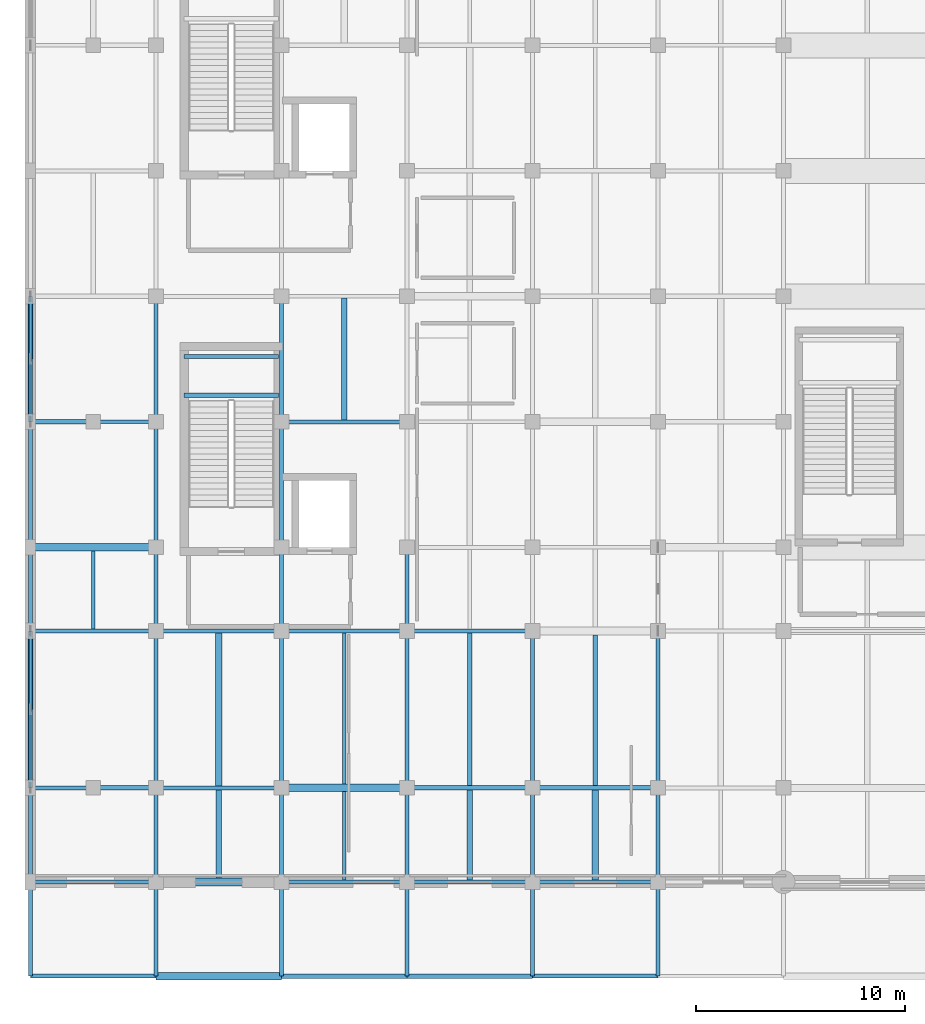
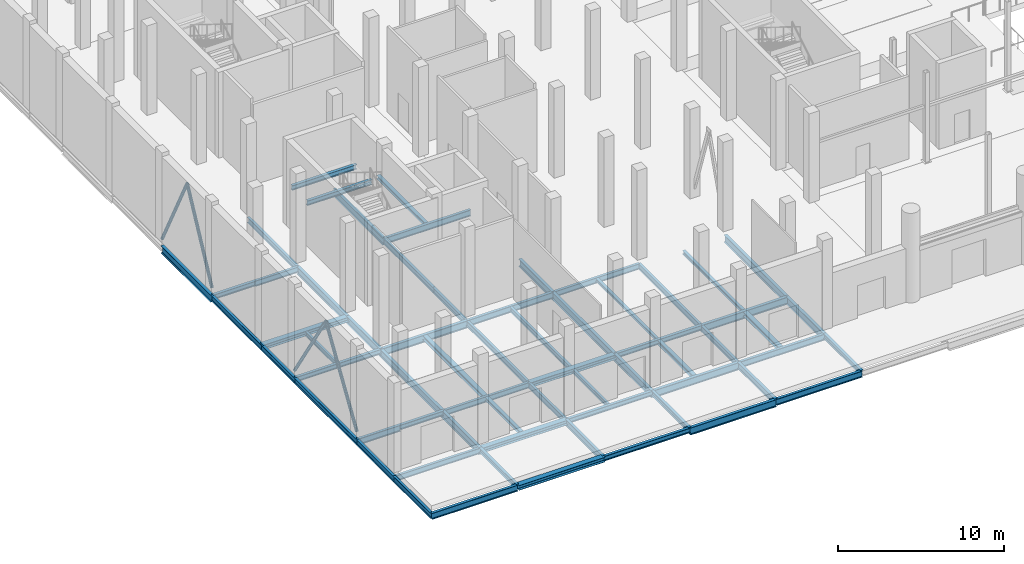
# One storey, part 20 of 140: 64 beams, 4 members.
"""IFC4 building model written with IfcOpenShell, lengths in metres."""

from ifc_helpers import new_model, si_unit, direction, frame, origin, origin_2d, place, context, subcontext, project, spatial, hollow_circle, i_section, extrude, material, material_profile, profile_set, type_object, element, save


model = new_model("IFC4")

# Units and contexts
model_context = context("Model", 3, precision=1e-05, world=origin(), true_north=direction((0.0, 1.0)))
body_context = subcontext(model_context, "Body", "Model", "MODEL_VIEW")
ifc_project = project(units=[si_unit("LENGTHUNIT", "METRE"), si_unit("AREAUNIT", "SQUARE_METRE"), si_unit("VOLUMEUNIT", "CUBIC_METRE"), si_unit("PLANEANGLEUNIT", "RADIAN"), si_unit("MASSUNIT", "GRAM", prefix="KILO")], contexts=[model_context])

# Site, building, storey
site_placement = place(None, origin())
site = spatial("IfcSite", under=ifc_project, at=site_placement, CompositionType="ELEMENT")
building_placement = place(site_placement, origin())
building = spatial("IfcBuilding", under=site, at=building_placement, Name="Verrall Gate Interchange", CompositionType="ELEMENT")
storey_placement = place(building_placement, origin())
storey = spatial("IfcBuildingStorey", under=building, at=storey_placement, Name="L01", CompositionType="ELEMENT", Elevation=0.0)

# Beams
ifc_material_1 = material(Name="Structural Steel CSA G40.21 350W", Category="steel")
ifc_material_profile_1 = material_profile(ifc_material_1, i_section(OverallWidth=0.2109375, OverallDepth=0.5390625, WebThickness=0.01171875, FlangeThickness=0.018798828125, FilletRadius=0.013916015625, at=origin_2d()), Name="W530x109")
ifc_profile_set_1 = profile_set([ifc_material_profile_1], Name="Structural Steel CSA G40.21 350W")
beam_type_1 = type_object("IfcBeamType", Name="B-10 Structural Beam W530x109", PredefinedType="BEAM", material=ifc_profile_set_1)
for number, where, z_axis, x_axis, name in (
    (1, (18.0, -4.5, -0.76953125), (1.0, 0.0, 0.0), (0.0, 1.0, 0.0), "L01 Girder BM-L01-0721 (B-10)"),
    (2, (18.0, 0.0, -0.76953125), (1.0, 0.0, 0.0), (0.0, 1.0, 0.0), "L01 Girder BM-L01-0736 (B-10)"),
    (3, (24.0, 4.5, -0.76953125), (1.0, 0.0, 0.0), (0.0, 1.0, 0.0), "L01 Girder BM-L01-0753 (B-10)"),
    (4, (6.0, 12.0, -0.76953125), (1.0, 0.0, 0.0), (0.0, 1.0, 0.0), "L01 Girder BM-L01-0765 (B-10)"),
    (5, (0.0, 22.0, -0.76953125), (0.0, 1.0, 0.0), (-1.0, 0.0, 0.0), "L01 Girder BM-L01-0985 (B-10)"),
):
    element("IfcBeam", number, at=place(storey_placement, frame(where, z_axis=z_axis, x_axis=x_axis)), inside=storey, type_object=beam_type_1, Name=name, PredefinedType="BEAM", context=body_context, shape_type="SweptSolid", body=[
        extrude(i_section(OverallWidth=0.2109375, OverallDepth=0.5390625, WebThickness=0.01171875, FlangeThickness=0.018798828125, FilletRadius=0.013916015625, at=origin_2d()), origin(), (0.0, 0.0, 1.0), 6.0),
    ])
beam_1_placement = place(storey_placement, frame((6.0, 0.0, -0.76953125), z_axis=(0.0, 1.0, 0.0), x_axis=(-1.0, 0.0, 0.0)))
element("IfcBeam", 6, at=beam_1_placement, inside=storey, type_object=beam_type_1, Name="L01 Girder BM-L01-0997 (B-10)", PredefinedType="BEAM", context=body_context, shape_type="SweptSolid", body=[
    extrude(i_section(OverallWidth=0.2109375, OverallDepth=0.5390625, WebThickness=0.01171875, FlangeThickness=0.018798828125, FilletRadius=0.013916015625, at=origin_2d()), origin(), (0.0, 0.0, 1.0), 4.5),
])
beam_2_placement = place(storey_placement, frame((6.0, 4.5, -0.76953125), z_axis=(0.0, 1.0, 0.0), x_axis=(-1.0, 0.0, 0.0)))
element("IfcBeam", 7, at=beam_2_placement, inside=storey, type_object=beam_type_1, Name="L01 Girder BM-L01-0998 (B-10)", PredefinedType="BEAM", context=body_context, shape_type="SweptSolid", body=[
    extrude(i_section(OverallWidth=0.2109375, OverallDepth=0.5390625, WebThickness=0.01171875, FlangeThickness=0.018798828125, FilletRadius=0.013916015625, at=origin_2d()), origin(), (0.0, 0.0, 1.0), 7.5),
])
beam_3_placement = place(storey_placement, frame((6.0, 12.0, -0.76953125), z_axis=(0.0, 1.0, 0.0), x_axis=(-1.0, 0.0, 0.0)))
element("IfcBeam", 8, at=beam_3_placement, inside=storey, type_object=beam_type_1, Name="L01 Girder BM-L01-0999 (B-10)", PredefinedType="BEAM", context=body_context, shape_type="SweptSolid", body=[
    extrude(i_section(OverallWidth=0.2109375, OverallDepth=0.5390625, WebThickness=0.01171875, FlangeThickness=0.018798828125, FilletRadius=0.013916015625, at=origin_2d()), origin(), (0.0, 0.0, 1.0), 4.0),
])
for number, where, z_axis, x_axis, name in (
    (9, (6.0, 16.0, -0.76953125), (0.0, 1.0, 0.0), (-1.0, 0.0, 0.0), "L01 Girder BM-L01-1000 (B-10)"),
    (10, (12.0, 22.0, -0.76953125), (0.0, 1.0, 0.0), (-1.0, 0.0, 0.0), "L01 Girder BM-L01-1016 (B-10)"),
):
    element("IfcBeam", number, at=place(storey_placement, frame(where, z_axis=z_axis, x_axis=x_axis)), inside=storey, type_object=beam_type_1, Name=name, PredefinedType="BEAM", context=body_context, shape_type="SweptSolid", body=[
        extrude(i_section(OverallWidth=0.2109375, OverallDepth=0.5390625, WebThickness=0.01171875, FlangeThickness=0.018798828125, FilletRadius=0.013916015625, at=origin_2d()), origin(), (0.0, 0.0, 1.0), 6.0),
    ])
beam_4_placement = place(storey_placement, frame((18.0, 0.0, -0.76953125), z_axis=(0.0, 1.0, 0.0), x_axis=(-1.0, 0.0, 0.0)))
element("IfcBeam", 11, at=beam_4_placement, inside=storey, type_object=beam_type_1, Name="L01 Girder BM-L01-1027 (B-10)", PredefinedType="BEAM", context=body_context, shape_type="SweptSolid", body=[
    extrude(i_section(OverallWidth=0.2109375, OverallDepth=0.5390625, WebThickness=0.01171875, FlangeThickness=0.018798828125, FilletRadius=0.013916015625, at=origin_2d()), origin(), (0.0, 0.0, 1.0), 4.5),
])
beam_5_placement = place(storey_placement, frame((18.0, 4.5, -0.76953125), z_axis=(0.0, 1.0, 0.0), x_axis=(-1.0, 0.0, 0.0)))
element("IfcBeam", 12, at=beam_5_placement, inside=storey, type_object=beam_type_1, Name="L01 Girder BM-L01-1028 (B-10)", PredefinedType="BEAM", context=body_context, shape_type="SweptSolid", body=[
    extrude(i_section(OverallWidth=0.2109375, OverallDepth=0.5390625, WebThickness=0.01171875, FlangeThickness=0.018798828125, FilletRadius=0.013916015625, at=origin_2d()), origin(), (0.0, 0.0, 1.0), 7.5),
])
beam_6_placement = place(storey_placement, frame((18.0, 12.0, -0.76953125), z_axis=(0.0, 1.0, 0.0), x_axis=(-1.0, 0.0, 0.0)))
element("IfcBeam", 13, at=beam_6_placement, inside=storey, type_object=beam_type_1, Name="L01 Girder BM-L01-1029 (B-10)", PredefinedType="BEAM", context=body_context, shape_type="SweptSolid", body=[
    extrude(i_section(OverallWidth=0.2109375, OverallDepth=0.5390625, WebThickness=0.01171875, FlangeThickness=0.018798828125, FilletRadius=0.013916015625, at=origin_2d()), origin(), (0.0, 0.0, 1.0), 4.0),
])
beam_7_placement = place(storey_placement, frame((30.0, 0.0, -0.76953125), z_axis=(0.0, 1.0, 0.0), x_axis=(-1.0, 0.0, 0.0)))
element("IfcBeam", 14, at=beam_7_placement, inside=storey, type_object=beam_type_1, Name="L01 Girder BM-L01-1057 (B-10)", PredefinedType="BEAM", context=body_context, shape_type="SweptSolid", body=[
    extrude(i_section(OverallWidth=0.2109375, OverallDepth=0.5390625, WebThickness=0.01171875, FlangeThickness=0.018798828125, FilletRadius=0.013916015625, at=origin_2d()), origin(), (0.0, 0.0, 1.0), 4.5),
])
beam_8_placement = place(storey_placement, frame((30.0, 4.5, -0.76953125), z_axis=(0.0, 1.0, 0.0), x_axis=(-1.0, 0.0, 0.0)))
element("IfcBeam", 15, at=beam_8_placement, inside=storey, type_object=beam_type_1, Name="L01 Girder BM-L01-1058 (B-10)", PredefinedType="BEAM", context=body_context, shape_type="SweptSolid", body=[
    extrude(i_section(OverallWidth=0.2109375, OverallDepth=0.5390625, WebThickness=0.01171875, FlangeThickness=0.018798828125, FilletRadius=0.013916015625, at=origin_2d()), origin(), (0.0, 0.0, 1.0), 7.5),
])
ifc_material_2 = material(Name="Structural Steel CSA G40.21 350W", Category="steel")
ifc_material_profile_2 = material_profile(ifc_material_2, i_section(OverallWidth=0.19189453125, OverallDepth=0.462890625, WebThickness=0.010498046875, FlangeThickness=0.017578125, FilletRadius=0.012939453125, at=origin_2d()), Name="W460x89")
ifc_profile_set_2 = profile_set([ifc_material_profile_2], Name="Structural Steel CSA G40.21 350W")
beam_type_2 = type_object("IfcBeamType", Name="B-11 Structural Beam W460x89", PredefinedType="BEAM", material=ifc_profile_set_2)
for number, where, z_axis, x_axis, name in (
    (16, (0.0, -4.5, -0.7314453125), (1.0, 0.0, 0.0), (0.0, 1.0, 0.0), "L01 Girder BM-L01-0718 (B-11)"),
    (17, (24.0, -4.5, -0.7314453125), (1.0, 0.0, 0.0), (0.0, 1.0, 0.0), "L01 Girder BM-L01-0722 (B-11)"),
    (18, (24.0, 0.0, -0.7314453125), (1.0, 0.0, 0.0), (0.0, 1.0, 0.0), "L01 Girder BM-L01-0737 (B-11)"),
):
    element("IfcBeam", number, at=place(storey_placement, frame(where, z_axis=z_axis, x_axis=x_axis)), inside=storey, type_object=beam_type_2, Name=name, PredefinedType="BEAM", context=body_context, shape_type="SweptSolid", body=[
        extrude(i_section(OverallWidth=0.19189453125, OverallDepth=0.462890625, WebThickness=0.010498046875, FlangeThickness=0.017578125, FilletRadius=0.012939453125, at=origin_2d()), origin(), (0.0, 0.0, 1.0), 6.0),
    ])
beam_9_placement = place(storey_placement, frame((0.0, 4.5, -0.7314453125), z_axis=(1.0, 0.0, 0.0), x_axis=(0.0, 1.0, 0.0)))
element("IfcBeam", 19, at=beam_9_placement, inside=storey, type_object=beam_type_2, Name="L01 Girder BM-L01-0748 (B-11)", PredefinedType="BEAM", context=body_context, shape_type="SweptSolid", body=[
    extrude(i_section(OverallWidth=0.19189453125, OverallDepth=0.462890625, WebThickness=0.010498046875, FlangeThickness=0.017578125, FilletRadius=0.012939453125, at=origin_2d()), origin(), (0.0, 0.0, 1.0), 3.0),
])
for number, where, z_axis, x_axis, name in (
    (20, (12.0, 12.0, -0.7314453125), (1.0, 0.0, 0.0), (0.0, 1.0, 0.0), "L01 Girder BM-L01-0766 (B-11)"),
    (21, (12.0, 22.0, -0.7314453125), (1.0, 0.0, 0.0), (0.0, 1.0, 0.0), "L01 Girder BM-L01-0810 (B-11)"),
):
    element("IfcBeam", number, at=place(storey_placement, frame(where, z_axis=z_axis, x_axis=x_axis)), inside=storey, type_object=beam_type_2, Name=name, PredefinedType="BEAM", context=body_context, shape_type="SweptSolid", body=[
        extrude(i_section(OverallWidth=0.19189453125, OverallDepth=0.462890625, WebThickness=0.010498046875, FlangeThickness=0.017578125, FilletRadius=0.012939453125, at=origin_2d()), origin(), (0.0, 0.0, 1.0), 6.0),
    ])
for number, where, z_axis, x_axis, name in (
    (22, (12.0, -4.5, -0.7314453125), (0.0, 1.0, 0.0), (-1.0, 0.0, 0.0), "L01 Girder BM-L01-1011 (B-11)"),
    (23, (24.0, -4.5, -0.7314453125), (0.0, 1.0, 0.0), (-1.0, 0.0, 0.0), "L01 Girder BM-L01-1041 (B-11)"),
):
    element("IfcBeam", number, at=place(storey_placement, frame(where, z_axis=z_axis, x_axis=x_axis)), inside=storey, type_object=beam_type_2, Name=name, PredefinedType="BEAM", context=body_context, shape_type="SweptSolid", body=[
        extrude(i_section(OverallWidth=0.19189453125, OverallDepth=0.462890625, WebThickness=0.010498046875, FlangeThickness=0.017578125, FilletRadius=0.012939453125, at=origin_2d()), origin(), (0.0, 0.0, 1.0), 4.5),
    ])
ifc_material_3 = material(Name="Structural Steel CSA G40.21 350W", Category="steel")
ifc_material_profile_3 = material_profile(ifc_material_3, i_section(OverallWidth=0.178955078125, OverallDepth=0.409912109375, WebThickness=0.0087890625, FlangeThickness=0.014404296875, FilletRadius=0.011962890625, at=origin_2d()), Name="W410x67")
ifc_profile_set_3 = profile_set([ifc_material_profile_3], Name="Structural Steel CSA G40.21 350W")
beam_type_3 = type_object("IfcBeamType", Name="B-12 Structural Beam W410x67", PredefinedType="BEAM", material=ifc_profile_set_3)
for number, where, z_axis, x_axis, name in (
    (24, (0.0, 0.0, -0.705078125), (1.0, 0.0, 0.0), (0.0, 1.0, 0.0), "L01 Girder BM-L01-0733 (B-12)"),
    (25, (6.0, 4.5, -0.705078125), (1.0, 0.0, 0.0), (0.0, 1.0, 0.0), "L01 Girder BM-L01-0750 (B-12)"),
    (26, (18.0, 12.0, -0.705078125), (1.0, 0.0, 0.0), (0.0, 1.0, 0.0), "L01 Girder BM-L01-0767 (B-12)"),
):
    element("IfcBeam", number, at=place(storey_placement, frame(where, z_axis=z_axis, x_axis=x_axis)), inside=storey, type_object=beam_type_3, Name=name, PredefinedType="BEAM", context=body_context, shape_type="SweptSolid", body=[
        extrude(i_section(OverallWidth=0.178955078125, OverallDepth=0.409912109375, WebThickness=0.0087890625, FlangeThickness=0.014404296875, FilletRadius=0.011962890625, at=origin_2d()), origin(), (0.0, 0.0, 1.0), 6.0),
    ])
beam_10_placement = place(storey_placement, frame((3.0, 22.0, -0.705078125), z_axis=(1.0, 0.0, 0.0), x_axis=(0.0, 1.0, 0.0)))
element("IfcBeam", 27, at=beam_10_placement, inside=storey, type_object=beam_type_3, Name="L01 Girder BM-L01-0809 (B-12)", PredefinedType="BEAM", context=body_context, shape_type="SweptSolid", body=[
    extrude(i_section(OverallWidth=0.178955078125, OverallDepth=0.409912109375, WebThickness=0.0087890625, FlangeThickness=0.014404296875, FilletRadius=0.011962890625, at=origin_2d()), origin(), (0.0, 0.0, 1.0), 3.0),
])
for number, where, z_axis, x_axis, name in (
    (28, (0.0, -4.5, -0.705078125), (0.0, 1.0, 0.0), (-1.0, 0.0, 0.0), "L01 Girder BM-L01-0980 (B-12)"),
    (29, (0.0, 0.0, -0.705078125), (0.0, 1.0, 0.0), (-1.0, 0.0, 0.0), "L01 Girder BM-L01-0981 (B-12)"),
):
    element("IfcBeam", number, at=place(storey_placement, frame(where, z_axis=z_axis, x_axis=x_axis)), inside=storey, type_object=beam_type_3, Name=name, PredefinedType="BEAM", context=body_context, shape_type="SweptSolid", body=[
        extrude(i_section(OverallWidth=0.178955078125, OverallDepth=0.409912109375, WebThickness=0.0087890625, FlangeThickness=0.014404296875, FilletRadius=0.011962890625, at=origin_2d()), origin(), (0.0, 0.0, 1.0), 4.5),
    ])
beam_11_placement = place(storey_placement, frame((0.0, 4.5, -0.705078125), z_axis=(0.0, 1.0, 0.0), x_axis=(-1.0, 0.0, 0.0)))
element("IfcBeam", 30, at=beam_11_placement, inside=storey, type_object=beam_type_3, Name="L01 Girder BM-L01-0982 (B-12)", PredefinedType="BEAM", context=body_context, shape_type="SweptSolid", body=[
    extrude(i_section(OverallWidth=0.178955078125, OverallDepth=0.409912109375, WebThickness=0.0087890625, FlangeThickness=0.014404296875, FilletRadius=0.011962890625, at=origin_2d()), origin(), (0.0, 0.0, 1.0), 7.5),
])
beam_12_placement = place(storey_placement, frame((0.0, 12.0, -0.705078125), z_axis=(0.0, 1.0, 0.0), x_axis=(-1.0, 0.0, 0.0)))
element("IfcBeam", 31, at=beam_12_placement, inside=storey, type_object=beam_type_3, Name="L01 Girder BM-L01-0983 (B-12)", PredefinedType="BEAM", context=body_context, shape_type="SweptSolid", body=[
    extrude(i_section(OverallWidth=0.178955078125, OverallDepth=0.409912109375, WebThickness=0.0087890625, FlangeThickness=0.014404296875, FilletRadius=0.011962890625, at=origin_2d()), origin(), (0.0, 0.0, 1.0), 4.0),
])
for number, where, z_axis, x_axis, name in (
    (32, (0.0, 16.0, -0.705078125), (0.0, 1.0, 0.0), (-1.0, 0.0, 0.0), "L01 Girder BM-L01-0984 (B-12)"),
    (33, (6.0, 22.0, -0.705078125), (0.0, 1.0, 0.0), (-1.0, 0.0, 0.0), "L01 Girder BM-L01-1001 (B-12)"),
):
    element("IfcBeam", number, at=place(storey_placement, frame(where, z_axis=z_axis, x_axis=x_axis)), inside=storey, type_object=beam_type_3, Name=name, PredefinedType="BEAM", context=body_context, shape_type="SweptSolid", body=[
        extrude(i_section(OverallWidth=0.178955078125, OverallDepth=0.409912109375, WebThickness=0.0087890625, FlangeThickness=0.014404296875, FilletRadius=0.011962890625, at=origin_2d()), origin(), (0.0, 0.0, 1.0), 6.0),
    ])
beam_13_placement = place(storey_placement, frame((12.0, 0.0, -0.705078125), z_axis=(0.0, 1.0, 0.0), x_axis=(-1.0, 0.0, 0.0)))
element("IfcBeam", 34, at=beam_13_placement, inside=storey, type_object=beam_type_3, Name="L01 Girder BM-L01-1012 (B-12)", PredefinedType="BEAM", context=body_context, shape_type="SweptSolid", body=[
    extrude(i_section(OverallWidth=0.178955078125, OverallDepth=0.409912109375, WebThickness=0.0087890625, FlangeThickness=0.014404296875, FilletRadius=0.011962890625, at=origin_2d()), origin(), (0.0, 0.0, 1.0), 4.5),
])
beam_14_placement = place(storey_placement, frame((12.0, 4.5, -0.705078125), z_axis=(0.0, 1.0, 0.0), x_axis=(-1.0, 0.0, 0.0)))
element("IfcBeam", 35, at=beam_14_placement, inside=storey, type_object=beam_type_3, Name="L01 Girder BM-L01-1013 (B-12)", PredefinedType="BEAM", context=body_context, shape_type="SweptSolid", body=[
    extrude(i_section(OverallWidth=0.178955078125, OverallDepth=0.409912109375, WebThickness=0.0087890625, FlangeThickness=0.014404296875, FilletRadius=0.011962890625, at=origin_2d()), origin(), (0.0, 0.0, 1.0), 7.5),
])
beam_15_placement = place(storey_placement, frame((12.0, 12.0, -0.705078125), z_axis=(0.0, 1.0, 0.0), x_axis=(-1.0, 0.0, 0.0)))
element("IfcBeam", 36, at=beam_15_placement, inside=storey, type_object=beam_type_3, Name="L01 Girder BM-L01-1014 (B-12)", PredefinedType="BEAM", context=body_context, shape_type="SweptSolid", body=[
    extrude(i_section(OverallWidth=0.178955078125, OverallDepth=0.409912109375, WebThickness=0.0087890625, FlangeThickness=0.014404296875, FilletRadius=0.011962890625, at=origin_2d()), origin(), (0.0, 0.0, 1.0), 4.0),
])
beam_16_placement = place(storey_placement, frame((12.0, 16.0, -0.705078125), z_axis=(0.0, 1.0, 0.0), x_axis=(-1.0, 0.0, 0.0)))
element("IfcBeam", 37, at=beam_16_placement, inside=storey, type_object=beam_type_3, Name="L01 Girder BM-L01-1015 (B-12)", PredefinedType="BEAM", context=body_context, shape_type="SweptSolid", body=[
    extrude(i_section(OverallWidth=0.178955078125, OverallDepth=0.409912109375, WebThickness=0.0087890625, FlangeThickness=0.014404296875, FilletRadius=0.011962890625, at=origin_2d()), origin(), (0.0, 0.0, 1.0), 6.0),
])
beam_17_placement = place(storey_placement, frame((24.0, 0.0, -0.705078125), z_axis=(0.0, 1.0, 0.0), x_axis=(-1.0, 0.0, 0.0)))
element("IfcBeam", 38, at=beam_17_placement, inside=storey, type_object=beam_type_3, Name="L01 Girder BM-L01-1042 (B-12)", PredefinedType="BEAM", context=body_context, shape_type="SweptSolid", body=[
    extrude(i_section(OverallWidth=0.178955078125, OverallDepth=0.409912109375, WebThickness=0.0087890625, FlangeThickness=0.014404296875, FilletRadius=0.011962890625, at=origin_2d()), origin(), (0.0, 0.0, 1.0), 4.5),
])
beam_18_placement = place(storey_placement, frame((24.0, 4.5, -0.705078125), z_axis=(0.0, 1.0, 0.0), x_axis=(-1.0, 0.0, 0.0)))
element("IfcBeam", 39, at=beam_18_placement, inside=storey, type_object=beam_type_3, Name="L01 Girder BM-L01-1043 (B-12)", PredefinedType="BEAM", context=body_context, shape_type="SweptSolid", body=[
    extrude(i_section(OverallWidth=0.178955078125, OverallDepth=0.409912109375, WebThickness=0.0087890625, FlangeThickness=0.014404296875, FilletRadius=0.011962890625, at=origin_2d()), origin(), (0.0, 0.0, 1.0), 7.5),
])
ifc_material_4 = material(Name="Structural Steel CSA G40.21 350W", Category="steel")
ifc_material_profile_4 = material_profile(ifc_material_4, i_section(OverallWidth=0.368896484375, OverallDepth=0.35595703125, WebThickness=0.01123046875, FlangeThickness=0.01806640625, FilletRadius=0.014892578125, at=origin_2d()), Name="W360x134")
ifc_profile_set_4 = profile_set([ifc_material_profile_4], Name="Structural Steel CSA G40.21 350W")
beam_type_4 = type_object("IfcBeamType", Name="B-13 Structural Beam W360x134", PredefinedType="BEAM", material=ifc_profile_set_4)
for number, where, z_axis, x_axis, name in (
    (40, (6.0, -4.5, -0.677978515625), (1.0, 0.0, 0.0), (0.0, 1.0, 0.0), "L01 Girder BM-L01-0719 (B-13)"),
    (41, (6.0, 0.0, -0.677978515625), (1.0, 0.0, 0.0), (0.0, 1.0, 0.0), "L01 Girder BM-L01-0734 (B-13)"),
    (42, (12.0, 4.5, -0.677978515625), (1.0, 0.0, 0.0), (0.0, 1.0, 0.0), "L01 Girder BM-L01-0751 (B-13)"),
    (43, (0.0, 16.0, -0.677978515625), (1.0, 0.0, 0.0), (0.0, 1.0, 0.0), "L01 Girder BM-L01-0788 (B-13)"),
):
    element("IfcBeam", number, at=place(storey_placement, frame(where, z_axis=z_axis, x_axis=x_axis)), inside=storey, type_object=beam_type_4, Name=name, PredefinedType="BEAM", context=body_context, shape_type="SweptSolid", body=[
        extrude(i_section(OverallWidth=0.368896484375, OverallDepth=0.35595703125, WebThickness=0.01123046875, FlangeThickness=0.01806640625, FilletRadius=0.014892578125, at=origin_2d()), origin(), (0.0, 0.0, 1.0), 6.0),
    ])
ifc_material_5 = material(Name="Structural Steel CSA G40.21 350W", Category="steel")
ifc_material_profile_5 = material_profile(ifc_material_5, i_section(OverallWidth=0.205078125, OverallDepth=0.35400390625, WebThickness=0.009521484375, FlangeThickness=0.016845703125, FilletRadius=0.012939453125, at=origin_2d()), Name="W360x79")
ifc_profile_set_5 = profile_set([ifc_material_profile_5], Name="Structural Steel CSA G40.21 350W")
beam_type_5 = type_object("IfcBeamType", Name="B-14 Structural Beam W360x79", PredefinedType="BEAM", material=ifc_profile_set_5)
for number, where, z_axis, x_axis, name in (
    (44, (12.0, -4.5, -0.677001953125), (1.0, 0.0, 0.0), (0.0, 1.0, 0.0), "L01 Girder BM-L01-0720 (B-14)"),
    (45, (12.0, 0.0, -0.677001953125), (1.0, 0.0, 0.0), (0.0, 1.0, 0.0), "L01 Girder BM-L01-0735 (B-14)"),
):
    element("IfcBeam", number, at=place(storey_placement, frame(where, z_axis=z_axis, x_axis=x_axis)), inside=storey, type_object=beam_type_5, Name=name, PredefinedType="BEAM", context=body_context, shape_type="SweptSolid", body=[
        extrude(i_section(OverallWidth=0.205078125, OverallDepth=0.35400390625, WebThickness=0.009521484375, FlangeThickness=0.016845703125, FilletRadius=0.012939453125, at=origin_2d()), origin(), (0.0, 0.0, 1.0), 6.0),
    ])
beam_19_placement = place(storey_placement, frame((3.0, 4.5, -0.677001953125), z_axis=(1.0, 0.0, 0.0), x_axis=(0.0, 1.0, 0.0)))
element("IfcBeam", 46, at=beam_19_placement, inside=storey, type_object=beam_type_5, Name="L01 Girder BM-L01-0749 (B-14)", PredefinedType="BEAM", context=body_context, shape_type="SweptSolid", body=[
    extrude(i_section(OverallWidth=0.205078125, OverallDepth=0.35400390625, WebThickness=0.009521484375, FlangeThickness=0.016845703125, FilletRadius=0.012939453125, at=origin_2d()), origin(), (0.0, 0.0, 1.0), 3.0),
])
for number, where, z_axis, x_axis, name in (
    (47, (18.0, 4.5, -0.677001953125), (1.0, 0.0, 0.0), (0.0, 1.0, 0.0), "L01 Girder BM-L01-0752 (B-14)"),
    (48, (0.0, 12.0, -0.677001953125), (1.0, 0.0, 0.0), (0.0, 1.0, 0.0), "L01 Girder BM-L01-0764 (B-14)"),
):
    element("IfcBeam", number, at=place(storey_placement, frame(where, z_axis=z_axis, x_axis=x_axis)), inside=storey, type_object=beam_type_5, Name=name, PredefinedType="BEAM", context=body_context, shape_type="SweptSolid", body=[
        extrude(i_section(OverallWidth=0.205078125, OverallDepth=0.35400390625, WebThickness=0.009521484375, FlangeThickness=0.016845703125, FilletRadius=0.012939453125, at=origin_2d()), origin(), (0.0, 0.0, 1.0), 6.0),
    ])
beam_20_placement = place(storey_placement, frame((0.0, 22.0, -0.677001953125), z_axis=(1.0, 0.0, 0.0), x_axis=(0.0, 1.0, 0.0)))
element("IfcBeam", 49, at=beam_20_placement, inside=storey, type_object=beam_type_5, Name="L01 Girder BM-L01-0808 (B-14)", PredefinedType="BEAM", context=body_context, shape_type="SweptSolid", body=[
    extrude(i_section(OverallWidth=0.205078125, OverallDepth=0.35400390625, WebThickness=0.009521484375, FlangeThickness=0.016845703125, FilletRadius=0.012939453125, at=origin_2d()), origin(), (0.0, 0.0, 1.0), 3.0),
])
for number, where, z_axis, x_axis, name in (
    (50, (6.0, -4.5, -0.677001953125), (0.0, 1.0, 0.0), (-1.0, 0.0, 0.0), "L01 Girder BM-L01-0996 (B-14)"),
    (51, (18.0, -4.5, -0.677001953125), (0.0, 1.0, 0.0), (-1.0, 0.0, 0.0), "L01 Girder BM-L01-1026 (B-14)"),
    (52, (30.0, -4.5, -0.677001953125), (0.0, 1.0, 0.0), (-1.0, 0.0, 0.0), "L01 Girder BM-L01-1056 (B-14)"),
    (53, (7.35009765625, 23.27001953125, 2.929931640625), (1.0, 0.0, 0.0), (0.0, 1.0, 0.0), "L01 Core C1 Mid-Landing Beam 1"),
    (54, (7.35009765625, 25.1201171875, 2.929931640625), (1.0, 0.0, 0.0), (0.0, 1.0, 0.0), "L01 Core C1 Mid-Landing Beam 2"),
):
    element("IfcBeam", number, at=place(storey_placement, frame(where, z_axis=z_axis, x_axis=x_axis)), inside=storey, type_object=beam_type_5, Name=name, PredefinedType="BEAM", context=body_context, shape_type="SweptSolid", body=[
        extrude(i_section(OverallWidth=0.205078125, OverallDepth=0.35400390625, WebThickness=0.009521484375, FlangeThickness=0.016845703125, FilletRadius=0.012939453125, at=origin_2d()), origin(), (0.0, 0.0, 1.0), 4.5),
    ])

# Members
ifc_material_6 = material(Name="Structural Steel CSA G40.21 350W", Category="steel")
ifc_material_profile_6 = material_profile(ifc_material_6, hollow_circle(Radius=0.109619140625, WallThickness=0.008056640625, at=origin_2d()), Name="HSS219x8.0")
ifc_profile_set_6 = profile_set([ifc_material_profile_6], Name="Structural Steel CSA G40.21 350W")
member_type = type_object("IfcMemberType", Name="BR-02 Diagonal Brace HSS219x8.0", PredefinedType="BRACE", material=ifc_profile_set_6)
for number, where, z_axis, x_axis, name in (
    (55, (0.0, 4.5, 0.0), (0.0, 0.538353324935, 0.842719228173), (-1.0, 0.0, 0.0), "Chevron Brace CBF1 L01 Leg A"),
    (56, (0.0, 12.0, 0.0), (0.0, -0.538353324935, 0.842719228173), (1.0, 0.0, 0.0), "Chevron Brace CBF1 L01 Leg B"),
):
    element("IfcMember", number, at=place(storey_placement, frame(where, z_axis=z_axis, x_axis=x_axis)), inside=storey, type_object=member_type, Name=name, PredefinedType="BRACE", context=body_context, shape_type="SweptSolid", body=[
        extrude(hollow_circle(Radius=0.109619140625, WallThickness=0.008056640625, at=origin_2d()), origin(), (0.0, 0.0, 1.0), 6.965576171875),
    ])
for number, where, z_axis, x_axis, name in (
    (57, (0.0, 22.0, 0.0), (0.0, 0.455077128294, 0.890452024145), (-1.0, 0.0, 0.0), "Chevron Brace CBF2 L01 Leg A"),
    (58, (0.0, 28.0, 0.0), (0.0, -0.455077128294, 0.890452024145), (1.0, 0.0, 0.0), "Chevron Brace CBF2 L01 Leg B"),
):
    element("IfcMember", number, at=place(storey_placement, frame(where, z_axis=z_axis, x_axis=x_axis)), inside=storey, type_object=member_type, Name=name, PredefinedType="BRACE", context=body_context, shape_type="SweptSolid", body=[
        extrude(hollow_circle(Radius=0.109619140625, WallThickness=0.008056640625, at=origin_2d()), origin(), (0.0, 0.0, 1.0), 6.59228515625),
    ])

# Beams
ifc_material_7 = material(Name="Structural Steel CSA G40.21 350W", Category="steel")
ifc_material_profile_7 = material_profile(ifc_material_7, i_section(OverallWidth=0.172119140625, OverallDepth=0.35791015625, WebThickness=0.0078125, FlangeThickness=0.01318359375, FilletRadius=0.010986328125, at=origin_2d()), Name="W360x57")
ifc_profile_set_7 = profile_set([ifc_material_profile_7], Name="Structural Steel CSA G40.21 350W")
beam_type_6 = type_object("IfcBeamType", Name="J-01 Floor Joist W360x57", PredefinedType="JOIST", material=ifc_profile_set_7)
beam_21_placement = place(storey_placement, frame((15.0, 4.6845703125, -0.678955078125), z_axis=(0.0, 1.0, 0.0), x_axis=(-1.0, 0.0, 0.0)))
element("IfcBeam", 59, at=beam_21_placement, inside=storey, type_object=beam_type_6, Name="L01 Secondary Floor Joist JST-L01-1266", PredefinedType="JOIST", context=body_context, shape_type="SweptSolid", body=[
    extrude(i_section(OverallWidth=0.172119140625, OverallDepth=0.35791015625, WebThickness=0.0078125, FlangeThickness=0.01318359375, FilletRadius=0.010986328125, at=origin_2d()), origin(), (0.0, 0.0, 1.0), 7.219482421875),
])
ifc_material_8 = material(Name="Structural Steel CSA G40.21 350W", Category="steel")
ifc_material_profile_8 = material_profile(ifc_material_8, i_section(OverallWidth=0.306884765625, OverallDepth=0.31396484375, WebThickness=0.011962890625, FlangeThickness=0.018798828125, FilletRadius=0.013916015625, at=origin_2d()), Name="W310x118")
ifc_profile_set_8 = profile_set([ifc_material_profile_8], Name="Structural Steel CSA G40.21 350W")
beam_type_7 = type_object("IfcBeamType", Name="J-02 Floor Joist W310x118", PredefinedType="JOIST", material=ifc_profile_set_8)
beam_22_placement = place(storey_placement, frame((27.0, 0.095947265625, -0.656982421875), z_axis=(0.0, 1.0, 0.0), x_axis=(-1.0, 0.0, 0.0)))
element("IfcBeam", 60, at=beam_22_placement, inside=storey, type_object=beam_type_7, Name="L01 Secondary Floor Joist JST-L01-1254", PredefinedType="JOIST", context=body_context, shape_type="SweptSolid", body=[
    extrude(i_section(OverallWidth=0.306884765625, OverallDepth=0.31396484375, WebThickness=0.011962890625, FlangeThickness=0.018798828125, FilletRadius=0.013916015625, at=origin_2d()), origin(), (0.0, 0.0, 1.0), 4.298583984375),
])
beam_23_placement = place(storey_placement, frame((9.0, 4.589599609375, -0.656982421875), z_axis=(0.0, 1.0, 0.0), x_axis=(-1.0, 0.0, 0.0)))
element("IfcBeam", 61, at=beam_23_placement, inside=storey, type_object=beam_type_7, Name="L01 Secondary Floor Joist JST-L01-1265", PredefinedType="JOIST", context=body_context, shape_type="SweptSolid", body=[
    extrude(i_section(OverallWidth=0.306884765625, OverallDepth=0.31396484375, WebThickness=0.011962890625, FlangeThickness=0.018798828125, FilletRadius=0.013916015625, at=origin_2d()), origin(), (0.0, 0.0, 1.0), 7.304931640625),
])
ifc_material_9 = material(Name="Structural Steel CSA G40.21 350W", Category="steel")
ifc_material_profile_9 = material_profile(ifc_material_9, i_section(OverallWidth=0.25390625, OverallDepth=0.305908203125, WebThickness=0.0087890625, FlangeThickness=0.0146484375, FilletRadius=0.012939453125, at=origin_2d()), Name="W310x79")
ifc_profile_set_9 = profile_set([ifc_material_profile_9], Name="Structural Steel CSA G40.21 350W")
beam_type_8 = type_object("IfcBeamType", Name="J-03 Floor Joist W310x79", PredefinedType="JOIST", material=ifc_profile_set_9)
beam_24_placement = place(storey_placement, frame((21.0, 0.10546875, -0.653076171875), z_axis=(0.0, 1.0, 0.0), x_axis=(-1.0, 0.0, 0.0)))
element("IfcBeam", 62, at=beam_24_placement, inside=storey, type_object=beam_type_8, Name="L01 Secondary Floor Joist JST-L01-1253", PredefinedType="JOIST", context=body_context, shape_type="SweptSolid", body=[
    extrude(i_section(OverallWidth=0.25390625, OverallDepth=0.305908203125, WebThickness=0.0087890625, FlangeThickness=0.0146484375, FilletRadius=0.012939453125, at=origin_2d()), origin(), (0.0, 0.0, 1.0), 4.2919921875),
])
ifc_material_10 = material(Name="Structural Steel CSA G40.21 350W", Category="steel")
ifc_material_profile_10 = material_profile(ifc_material_10, i_section(OverallWidth=0.1650390625, OverallDepth=0.31005859375, WebThickness=0.005859375, FlangeThickness=0.009765625, FilletRadius=0.010009765625, at=origin_2d()), Name="W310x39")
ifc_profile_set_10 = profile_set([ifc_material_profile_10], Name="Structural Steel CSA G40.21 350W")
beam_type_9 = type_object("IfcBeamType", Name="J-04 Floor Joist W310x39", PredefinedType="JOIST", material=ifc_profile_set_10)
beam_25_placement = place(storey_placement, frame((15.0, 0.1025390625, -0.655029296875), z_axis=(0.0, 1.0, 0.0), x_axis=(-1.0, 0.0, 0.0)))
element("IfcBeam", 63, at=beam_25_placement, inside=storey, type_object=beam_type_9, Name="L01 Secondary Floor Joist JST-L01-1252", PredefinedType="JOIST", context=body_context, shape_type="SweptSolid", body=[
    extrude(i_section(OverallWidth=0.1650390625, OverallDepth=0.31005859375, WebThickness=0.005859375, FlangeThickness=0.009765625, FilletRadius=0.010009765625, at=origin_2d()), origin(), (0.0, 0.0, 1.0), 4.212890625),
])
beam_26_placement = place(storey_placement, frame((3.0, 12.1025390625, -0.655029296875), z_axis=(0.0, 1.0, 0.0), x_axis=(-1.0, 0.0, 0.0)))
element("IfcBeam", 64, at=beam_26_placement, inside=storey, type_object=beam_type_9, Name="L01 Secondary Floor Joist JST-L01-1279", PredefinedType="JOIST", context=body_context, shape_type="SweptSolid", body=[
    extrude(i_section(OverallWidth=0.1650390625, OverallDepth=0.31005859375, WebThickness=0.005859375, FlangeThickness=0.009765625, FilletRadius=0.010009765625, at=origin_2d()), origin(), (0.0, 0.0, 1.0), 3.712890625),
])
ifc_material_11 = material(Name="Structural Steel CSA G40.21 350W", Category="steel")
ifc_material_profile_11 = material_profile(ifc_material_11, i_section(OverallWidth=0.25390625, OverallDepth=0.2529296875, WebThickness=0.008544921875, FlangeThickness=0.01416015625, FilletRadius=0.011962890625, at=origin_2d()), Name="W250x73")
ifc_profile_set_11 = profile_set([ifc_material_profile_11], Name="Structural Steel CSA G40.21 350W")
beam_type_10 = type_object("IfcBeamType", Name="J-05 Floor Joist W250x73", PredefinedType="JOIST", material=ifc_profile_set_11)
beam_27_placement = place(storey_placement, frame((9.0, 0.1845703125, -0.62646484375), z_axis=(0.0, 1.0, 0.0), x_axis=(-1.0, 0.0, 0.0)))
element("IfcBeam", 65, at=beam_27_placement, inside=storey, type_object=beam_type_10, Name="L01 Secondary Floor Joist JST-L01-1251", PredefinedType="JOIST", context=body_context, shape_type="SweptSolid", body=[
    extrude(i_section(OverallWidth=0.25390625, OverallDepth=0.2529296875, WebThickness=0.008544921875, FlangeThickness=0.01416015625, FilletRadius=0.011962890625, at=origin_2d()), origin(), (0.0, 0.0, 1.0), 4.225830078125),
])
beam_28_placement = place(storey_placement, frame((15.0, 22.095947265625, -0.62646484375), z_axis=(0.0, 1.0, 0.0), x_axis=(-1.0, 0.0, 0.0)))
element("IfcBeam", 66, at=beam_28_placement, inside=storey, type_object=beam_type_10, Name="L01 Secondary Floor Joist JST-L01-1311", PredefinedType="JOIST", context=body_context, shape_type="SweptSolid", body=[
    extrude(i_section(OverallWidth=0.25390625, OverallDepth=0.2529296875, WebThickness=0.008544921875, FlangeThickness=0.01416015625, FilletRadius=0.011962890625, at=origin_2d()), origin(), (0.0, 0.0, 1.0), 5.814453125),
])
ifc_material_12 = material(Name="Structural Steel CSA G40.21 350W", Category="steel")
ifc_material_profile_12 = material_profile(ifc_material_12, i_section(OverallWidth=0.201904296875, OverallDepth=0.2470703125, WebThickness=0.00732421875, FlangeThickness=0.010986328125, FilletRadius=0.010986328125, at=origin_2d()), Name="W250x49")
ifc_profile_set_12 = profile_set([ifc_material_profile_12], Name="Structural Steel CSA G40.21 350W")
beam_type_11 = type_object("IfcBeamType", Name="J-06 Floor Joist W250x49", PredefinedType="JOIST", material=ifc_profile_set_12)
beam_29_placement = place(storey_placement, frame((27.0, 4.60546875, -0.62353515625), z_axis=(0.0, 1.0, 0.0), x_axis=(-1.0, 0.0, 0.0)))
element("IfcBeam", 67, at=beam_29_placement, inside=storey, type_object=beam_type_11, Name="L01 Secondary Floor Joist JST-L01-1268", PredefinedType="JOIST", context=body_context, shape_type="SweptSolid", body=[
    extrude(i_section(OverallWidth=0.201904296875, OverallDepth=0.2470703125, WebThickness=0.00732421875, FlangeThickness=0.010986328125, FilletRadius=0.010986328125, at=origin_2d()), origin(), (0.0, 0.0, 1.0), 7.2099609375),
])
ifc_material_13 = material(Name="Structural Steel CSA G40.21 350W", Category="steel")
ifc_material_profile_13 = material_profile(ifc_material_13, i_section(OverallWidth=0.202880859375, OverallDepth=0.202880859375, WebThickness=0.007080078125, FlangeThickness=0.010986328125, FilletRadius=0.010009765625, at=origin_2d()), Name="W200x46")
ifc_profile_set_13 = profile_set([ifc_material_profile_13], Name="Structural Steel CSA G40.21 350W")
beam_type_12 = type_object("IfcBeamType", Name="J-07 Floor Joist W200x46", PredefinedType="JOIST", material=ifc_profile_set_13)
beam_30_placement = place(storey_placement, frame((21.0, 4.6025390625, -0.6015625), z_axis=(0.0, 1.0, 0.0), x_axis=(-1.0, 0.0, 0.0)))
element("IfcBeam", 68, at=beam_30_placement, inside=storey, type_object=beam_type_12, Name="L01 Secondary Floor Joist JST-L01-1267", PredefinedType="JOIST", context=body_context, shape_type="SweptSolid", body=[
    extrude(i_section(OverallWidth=0.202880859375, OverallDepth=0.202880859375, WebThickness=0.007080078125, FlangeThickness=0.010986328125, FilletRadius=0.010009765625, at=origin_2d()), origin(), (0.0, 0.0, 1.0), 7.307861328125),
])

save(model, "model.ifc")
